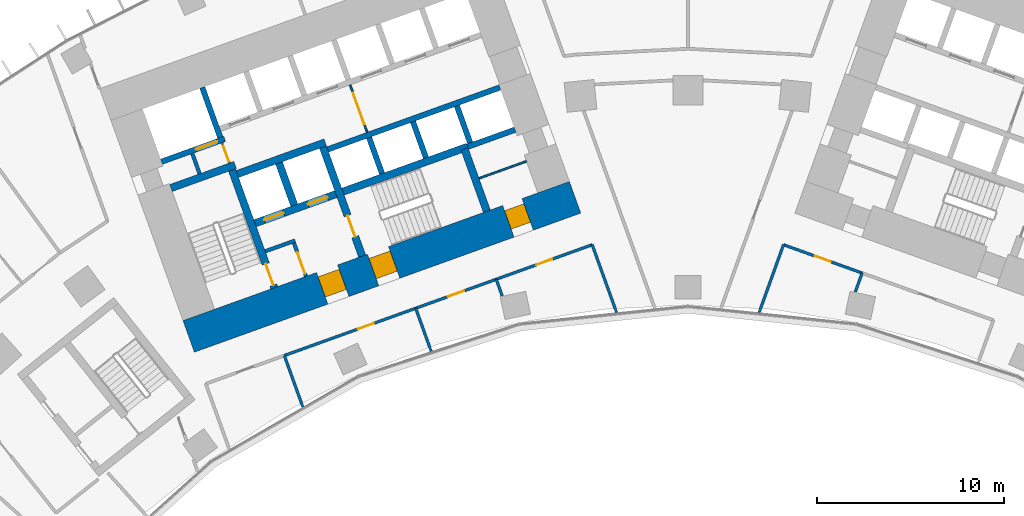
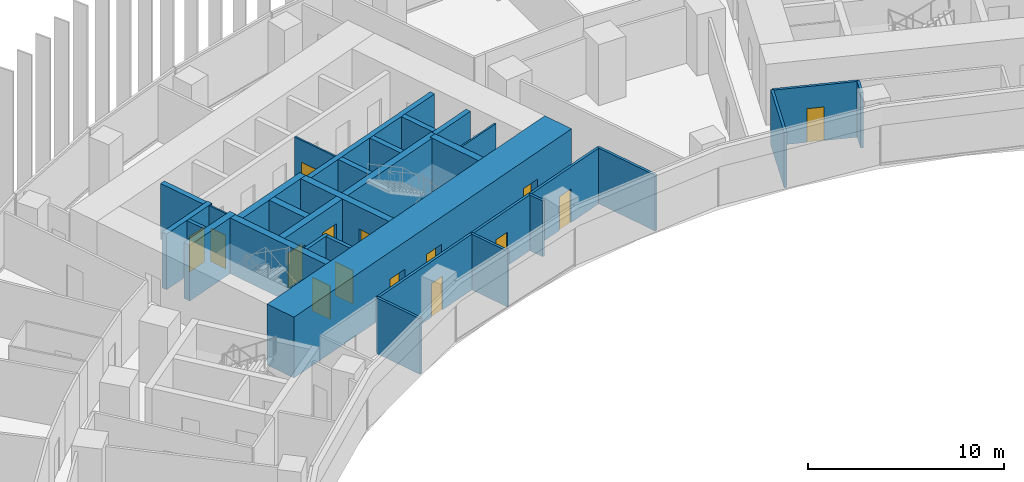
# One storey, part 18 of 24: 31 walls, 15 doors, 15 openings.
"""IFC4 building model written with IfcOpenShell, lengths in metres."""

from ifc_helpers import new_model, si_unit, direction, frame, frame_2d, origin, place, context, subcontext, project, spatial, rectangle, extrude, material, layer, layer_set, type_object, element, fill, save


model = new_model("IFC4")

# Units and contexts
model_context = context("Model", 3, precision=1e-05, world=origin(), true_north=direction((0.0, 1.0)))
body_context = subcontext(model_context, "Body", "Model", "MODEL_VIEW")
ifc_project = project(units=[si_unit("LENGTHUNIT", "METRE"), si_unit("AREAUNIT", "SQUARE_METRE"), si_unit("VOLUMEUNIT", "CUBIC_METRE"), si_unit("PLANEANGLEUNIT", "RADIAN"), si_unit("MASSUNIT", "GRAM", prefix="KILO")], contexts=[model_context])

# Site, building, storey
site_placement = place(None, origin())
site = spatial("IfcSite", under=ifc_project, at=site_placement, CompositionType="ELEMENT")
building_placement = place(site_placement, origin())
building = spatial("IfcBuilding", under=site, at=building_placement, Name="Stone Belt Terrace Tower", CompositionType="ELEMENT")
storey_placement = place(building_placement, frame((0.0, 0.0, 64.199951171875)))
storey = spatial("IfcBuildingStorey", under=building, at=storey_placement, Name="L15", CompositionType="ELEMENT", Elevation=64.199951171875)

# Wall, opening, door
ifc_material_1 = material(Name="Plasterboard partition")
ifc_layer_1 = layer(ifc_material_1, 0.10009765625)
ifc_layer_set_1 = layer_set([ifc_layer_1], Name="Core partition 100")
wall_type_1 = type_object("IfcWallType", Name="Core partition 100", PredefinedType="PARTITIONING", material=ifc_layer_set_1)
wall_1_placement = place(storey_placement, frame((-24.555908203125, 51.10400390625, 0.0), z_axis=(0.0, 0.0, 1.0), x_axis=(-0.338621735342, 0.94092258999, 0.0)))
wall_1 = element("IfcWall", 1, at=wall_1_placement, inside=storey, type_object=wall_type_1, Name="Core A wall", PredefinedType="PARTITIONING", context=body_context, shape_type="SweptSolid", body=[
    extrude(rectangle(XDim=1.14990234375, YDim=0.10009765625, at=frame_2d((0.574951171875, 0.0))), origin(), (0.0, 0.0, 1.0), 3.47998046875),
])
opening_1_placement = place(wall_1_placement, frame((0.050048828125, 0.0, 0.0)))
opening_1 = element("IfcOpeningElement", 2, at=opening_1_placement, cuts=wall_1, Name="Opening L15-C02", PredefinedType="OPENING", context=body_context, shape_type="SweptSolid", body=[
    extrude(rectangle(XDim=1.0, YDim=2.10009765625, at=frame_2d((0.5, 1.050048828125))), frame((0.0, 0.06005859375, 0.0), z_axis=(0.0, -1.0, 0.0), x_axis=(1.0, 0.0, 0.0)), (0.0, 0.0, 1.0), 0.1201171875),
])
ifc_material_2 = material(Name="Timber door leaf", Category="wood")
door_type_1 = type_object("IfcDoorType", Name="Core room door 1000", OperationType="SINGLE_SWING_LEFT", PredefinedType="DOOR", material=ifc_material_2)
door_1_placement = place(opening_1_placement, origin())
door_1 = element("IfcDoor", 3, at=door_1_placement, inside=storey, type_object=door_type_1, Name="Service lift lobby door core A", OperationType="SINGLE_SWING_LEFT", OverallHeight=2.10009765625, OverallWidth=1.0, PredefinedType="DOOR", context=body_context, shape_type="SweptSolid", body=[
    extrude(rectangle(XDim=1.0, YDim=2.10009765625, at=frame_2d((0.5, 1.050048828125))), frame((0.0, 0.02490234375, 0.0), z_axis=(0.0, -1.0, 0.0), x_axis=(1.0, 0.0, 0.0)), (0.0, 0.0, 1.0), 0.050048828125),
])
fill(opening_1, door_1)

wall_2_placement = place(storey_placement, frame((-17.17724609375, 52.749755859375, 0.0), z_axis=(0.0, 0.0, 1.0), x_axis=(-0.338546555931, 0.940949642365, 0.0)))
wall_2 = element("IfcWall", 4, at=wall_2_placement, inside=storey, type_object=wall_type_1, Name="Core A wall", PredefinedType="PARTITIONING", context=body_context, shape_type="SweptSolid", body=[
    extrude(rectangle(XDim=2.699951171875, YDim=0.10009765625, at=frame_2d((1.35009765625, 0.0))), origin(), (0.0, 0.0, 1.0), 3.47998046875),
])
opening_2_placement = place(wall_2_placement, frame((0.449951171875, 0.0, 0.0)))
opening_2 = element("IfcOpeningElement", 5, at=opening_2_placement, cuts=wall_2, Name="Opening L15-C03", PredefinedType="OPENING", context=body_context, shape_type="SweptSolid", body=[
    extrude(rectangle(XDim=1.800048828125, YDim=2.10009765625, at=frame_2d((0.89990234375, 1.050048828125))), frame((0.0, 0.06005859375, 0.0), z_axis=(0.0, -1.0, 0.0), x_axis=(1.0, 0.0, 0.0)), (0.0, 0.0, 1.0), 0.1201171875),
])
ifc_material_3 = material(Name="Glazed aluminium door leaf", Category="aluminium")
door_type_2 = type_object("IfcDoorType", Name="Lift lobby entrance door 1800", OperationType="DOUBLE_DOOR_SINGLE_SWING", PredefinedType="DOOR", material=ifc_material_3)
door_2_placement = place(opening_2_placement, origin())
door_2 = element("IfcDoor", 6, at=door_2_placement, inside=storey, type_object=door_type_2, Name="Lift lobby double door core A", OperationType="DOUBLE_DOOR_SINGLE_SWING", OverallHeight=2.10009765625, OverallWidth=1.800048828125, PredefinedType="DOOR", context=body_context, shape_type="SweptSolid", body=[
    extrude(rectangle(XDim=1.800048828125, YDim=2.10009765625, at=frame_2d((0.89990234375, 1.050048828125))), frame((0.0, 0.02490234375, 0.0), z_axis=(0.0, -1.0, 0.0), x_axis=(1.0, 0.0, 0.0)), (0.0, 0.0, 1.0), 0.050048828125),
])
fill(opening_2, door_2)

# Wall
wall_3_placement = place(storey_placement, frame((-11.187744140625, 50.2822265625, 0.0), z_axis=(0.0, 0.0, 1.0), x_axis=(0.940949642365, 0.338546555931, 0.0)))
element("IfcWall", 7, at=wall_3_placement, inside=storey, type_object=wall_type_1, Name="Core A wall", PredefinedType="PARTITIONING", context=body_context, shape_type="SweptSolid", body=[
    extrude(rectangle(XDim=2.699951171875, YDim=0.10009765625, at=frame_2d((1.35009765625, 0.0))), origin(), (0.0, 0.0, 1.0), 3.47998046875),
])

# Wall, openings, doors
ifc_material_4 = material(Name="Concrete B80", Category="concrete")
ifc_layer_2 = layer(ifc_material_4, 1.800048828125)
ifc_layer_set_2 = layer_set([ifc_layer_2], Name="Core wall 1800 B80")
wall_type_2 = type_object("IfcWallType", Name="Core wall 1800 B80", PredefinedType="SHEAR", material=ifc_layer_set_2)
wall_4_placement = place(storey_placement, frame((-26.739501953125, 41.815673828125, 0.0), z_axis=(0.0, 0.0, 1.0), x_axis=(0.940921642213, 0.338624368902, 0.0)))
wall_4 = element("IfcWall", 8, at=wall_4_placement, inside=storey, type_object=wall_type_2, Name="Core A wall concave L15", PredefinedType="SHEAR", context=body_context, shape_type="SweptSolid", body=[
    extrude(rectangle(XDim=22.0, YDim=1.800048828125, at=frame_2d((11.0, 0.0))), origin(), (0.0, 0.0, 1.0), 3.800048828125),
])
opening_3_placement = place(wall_4_placement, frame((7.60009765625, 0.0, 0.0)))
opening_3 = element("IfcOpeningElement", 9, at=opening_3_placement, cuts=wall_4, Name="Opening L15-C07", PredefinedType="OPENING", context=body_context, shape_type="SweptSolid", body=[
    extrude(rectangle(XDim=1.199951171875, YDim=2.10009765625, at=frame_2d((0.60009765625, 1.050048828125))), frame((0.0, 0.909912109375, 0.0), z_axis=(0.0, -1.0, 0.0), x_axis=(1.0, 0.0, 0.0)), (0.0, 0.0, 1.0), 1.820068359375),
])
opening_4_placement = place(wall_4_placement, frame((10.5, 0.0, 0.0)))
opening_4 = element("IfcOpeningElement", 10, at=opening_4_placement, cuts=wall_4, Name="Opening L15-C09", PredefinedType="OPENING", context=body_context, shape_type="SweptSolid", body=[
    extrude(rectangle(XDim=1.199951171875, YDim=2.10009765625, at=frame_2d((0.60009765625, 1.050048828125))), frame((0.0, 0.909912109375, 0.0), z_axis=(0.0, -1.0, 0.0), x_axis=(1.0, 0.0, 0.0)), (0.0, 0.0, 1.0), 1.820068359375),
])
opening_5_placement = place(wall_4_placement, frame((18.199951171875, 0.0, 0.0)))
opening_5 = element("IfcOpeningElement", 11, at=opening_5_placement, cuts=wall_4, Name="Opening L15-C11", PredefinedType="OPENING", context=body_context, shape_type="SweptSolid", body=[
    extrude(rectangle(XDim=1.10009765625, YDim=2.10009765625, at=frame_2d((0.550048828125, 1.050048828125))), frame((0.0, 0.909912109375, 0.0), z_axis=(0.0, -1.0, 0.0), x_axis=(1.0, 0.0, 0.0)), (0.0, 0.0, 1.0), 1.820068359375),
])
door_type_3 = type_object("IfcDoorType", Name="Core room door 1100", OperationType="SINGLE_SWING_LEFT", PredefinedType="DOOR", material=ifc_material_2)
door_3_placement = place(opening_5_placement, origin())
door_3 = element("IfcDoor", 12, at=door_3_placement, inside=storey, type_object=door_type_3, Name="Door to Cleaner's store core A", OperationType="SINGLE_SWING_LEFT", OverallHeight=2.10009765625, OverallWidth=1.10009765625, PredefinedType="DOOR", context=body_context, shape_type="SweptSolid", body=[
    extrude(rectangle(XDim=1.10009765625, YDim=2.10009765625, at=frame_2d((0.550048828125, 1.050048828125))), frame((0.0, 0.60498046875, 0.0), z_axis=(0.0, -1.0, 0.0), x_axis=(1.0, 0.0, 0.0)), (0.0, 0.0, 1.0), 1.050048828125),
])
fill(opening_5, door_3)
ifc_material_5 = material(Name="Steel door leaf", Category="steel")
door_type_4 = type_object("IfcDoorType", Name="Fire-fighting lobby door 1200", OperationType="SINGLE_SWING_LEFT", PredefinedType="DOOR", material=ifc_material_5)
door_4_placement = place(opening_3_placement, origin())
door_4 = element("IfcDoor", 13, at=door_4_placement, inside=storey, type_object=door_type_4, Name="Fire-fighting lobby door core A", OperationType="SINGLE_SWING_LEFT", OverallHeight=2.10009765625, OverallWidth=1.199951171875, PredefinedType="DOOR", context=body_context, shape_type="SweptSolid", body=[
    extrude(rectangle(XDim=1.199951171875, YDim=2.10009765625, at=frame_2d((0.60009765625, 1.050048828125))), frame((0.0, 0.655029296875, 0.0), z_axis=(0.0, -1.0, 0.0), x_axis=(1.0, 0.0, 0.0)), (0.0, 0.0, 1.0), 1.14990234375),
])
fill(opening_3, door_4)
door_type_5 = type_object("IfcDoorType", Name="Stair door 1200", OperationType="SINGLE_SWING_LEFT", PredefinedType="DOOR", material=ifc_material_5)
door_5_placement = place(opening_4_placement, origin())
door_5 = element("IfcDoor", 14, at=door_5_placement, inside=storey, type_object=door_type_5, Name="Stair 2 exit door core A", OperationType="SINGLE_SWING_RIGHT", OverallHeight=2.10009765625, OverallWidth=1.199951171875, PredefinedType="DOOR", context=body_context, shape_type="SweptSolid", body=[
    extrude(rectangle(XDim=1.199951171875, YDim=2.10009765625, at=frame_2d((0.60009765625, 1.050048828125))), frame((0.0, 0.655029296875, 0.0), z_axis=(0.0, -1.0, 0.0), x_axis=(1.0, 0.0, 0.0)), (0.0, 0.0, 1.0), 1.14990234375),
])
fill(opening_4, door_5)

# Walls
ifc_layer_3 = layer(ifc_material_4, 0.39990234375)
ifc_layer_set_3 = layer_set([ifc_layer_3], Name="Fire-fighting lift shaft wall 400")
wall_type_3 = type_object("IfcWallType", Name="Fire-fighting lift shaft wall 400", PredefinedType="SHEAR", material=ifc_layer_set_3)
wall_5_placement = place(storey_placement, frame((-24.130615234375, 50.512939453125, 0.0), z_axis=(0.0, 0.0, 1.0), x_axis=(0.94091168377, 0.338652038744, 0.0)))
element("IfcWall", 15, at=wall_5_placement, inside=storey, type_object=wall_type_3, Name="Core A wall", PredefinedType="SHEAR", context=body_context, shape_type="SweptSolid", body=[
    extrude(rectangle(XDim=5.000244140625, YDim=0.39990234375, at=frame_2d((2.5, 0.0))), origin(), (0.0, 0.0, 1.0), 3.47998046875),
])
wall_6_placement = place(storey_placement, frame((-21.0859375, 48.845458984375, 0.0), z_axis=(0.0, 0.0, 1.0), x_axis=(-0.338629416206, 0.940919825745, 0.0)))
element("IfcWall", 16, at=wall_6_placement, inside=storey, type_object=wall_type_3, Name="Core A wall", PredefinedType="SHEAR", context=body_context, shape_type="SweptSolid", body=[
    extrude(rectangle(XDim=2.400146484375, YDim=0.39990234375, at=frame_2d((1.2001953125, 0.0))), origin(), (0.0, 0.0, 1.0), 3.47998046875),
])

# Wall, opening, door
ifc_layer_4 = layer(ifc_material_4, 0.300048828125)
ifc_layer_set_4 = layer_set([ifc_layer_4], Name="Lift shaft wall 300")
wall_type_4 = type_object("IfcWallType", Name="Lift shaft wall 300", PredefinedType="SHEAR", material=ifc_layer_set_4)
wall_7_placement = place(storey_placement, frame((-28.195068359375, 51.17578125, 0.0), z_axis=(0.0, 0.0, 1.0), x_axis=(0.940901243567, 0.338681044427, 0.0)))
wall_7 = element("IfcWall", 17, at=wall_7_placement, inside=storey, type_object=wall_type_4, Name="Core A wall", PredefinedType="SHEAR", context=body_context, shape_type="SweptSolid", body=[
    extrude(rectangle(XDim=3.599853515625, YDim=0.300048828125, at=frame_2d((1.7998046875, 0.0))), origin(), (0.0, 0.0, 1.0), 3.47998046875),
])
opening_6_placement = place(wall_7_placement, frame((1.969970703125, 0.0, 0.0)))
opening_6 = element("IfcOpeningElement", 18, at=opening_6_placement, cuts=wall_7, Name="Opening L15-LD09", PredefinedType="OPENING", context=body_context, shape_type="SweptSolid", body=[
    extrude(rectangle(XDim=1.199951171875, YDim=2.199951171875, at=frame_2d((0.60009765625, 1.10009765625))), frame((0.0, 0.159912109375, 0.0), z_axis=(0.0, -1.0, 0.0), x_axis=(1.0, 0.0, 0.0)), (0.0, 0.0, 1.0), 0.320068359375),
])
ifc_material_6 = material(Name="Stainless steel door leaf", Category="steel")
door_type_6 = type_object("IfcDoorType", Name="Landing door 1200", OperationType="SLIDING_TO_LEFT", PredefinedType="DOOR", material=ifc_material_6)
door_6_placement = place(opening_6_placement, origin())
door_6 = element("IfcDoor", 19, at=door_6_placement, inside=storey, type_object=door_type_6, Name="Landing door SV1 core A", OperationType="SLIDING_TO_LEFT", OverallHeight=2.199951171875, OverallWidth=1.199951171875, PredefinedType="DOOR", context=body_context, shape_type="SweptSolid", body=[
    extrude(rectangle(XDim=1.199951171875, YDim=2.199951171875, at=frame_2d((0.60009765625, 1.10009765625))), frame((0.0, 0.02490234375, 0.0), z_axis=(0.0, -1.0, 0.0), x_axis=(1.0, 0.0, 0.0)), (0.0, 0.0, 1.0), 0.050048828125),
])
fill(opening_6, door_6)

# Walls
wall_8_placement = place(storey_placement, frame((-25.046875, 52.46826171875, 0.0), z_axis=(0.0, 0.0, 1.0), x_axis=(-0.338549588058, 0.940948551423, 0.0)))
element("IfcWall", 20, at=wall_8_placement, inside=storey, type_object=wall_type_4, Name="Core A wall", PredefinedType="SHEAR", context=body_context, shape_type="SweptSolid", body=[
    extrude(rectangle(XDim=2.849853515625, YDim=0.300048828125, at=frame_2d((1.4248046875, 0.0))), origin(), (0.0, 0.0, 1.0), 3.47998046875),
])
wall_9_placement = place(storey_placement, frame((-19.29052734375, 51.829833984375, 0.0), z_axis=(0.0, 0.0, 1.0), x_axis=(0.940925833398, 0.338612722803, 0.0)))
element("IfcWall", 21, at=wall_9_placement, inside=storey, type_object=wall_type_4, Name="Core A wall", PredefinedType="SHEAR", context=body_context, shape_type="SweptSolid", body=[
    extrude(rectangle(XDim=9.7998046875, YDim=0.300048828125, at=frame_2d((4.89990234375, 0.0))), origin(), (0.0, 0.0, 1.0), 3.47998046875),
])
for number, where, z_axis, x_axis, name in (
    (22, (-16.38134765625, 50.53857421875, 0.0), (0.0, 0.0, 1.0), (-0.338681515556, 0.940901073982, 0.0), "Core A wall"),
    (23, (-14.029052734375, 51.38525390625, 0.0), (0.0, 0.0, 1.0), (-0.338681515556, 0.940901073982, 0.0), "Core A wall"),
):
    element("IfcWall", number, at=place(storey_placement, frame(where, z_axis=z_axis, x_axis=x_axis)), inside=storey, type_object=wall_type_4, Name=name, PredefinedType="SHEAR", context=body_context, shape_type="SweptSolid", body=[
        extrude(rectangle(XDim=2.050048828125, YDim=0.300048828125, at=frame_2d((1.02490234375, 0.0))), origin(), (0.0, 0.0, 1.0), 3.47998046875),
    ])
wall_10_placement = place(storey_placement, frame((-11.797119140625, 51.975830078125, 0.0), z_axis=(0.0, 0.0, 1.0), x_axis=(0.940910465161, 0.33865542451, 0.0)))
element("IfcWall", 24, at=wall_10_placement, inside=storey, type_object=wall_type_4, Name="Core A wall", PredefinedType="SHEAR", context=body_context, shape_type="SweptSolid", body=[
    extrude(rectangle(XDim=2.69970703125, YDim=0.300048828125, at=frame_2d((1.349853515625, 0.0))), origin(), (0.0, 0.0, 1.0), 3.47998046875),
])
wall_11_placement = place(storey_placement, frame((-11.659912109375, 52.184814453125, 0.0), z_axis=(0.0, 0.0, 1.0), x_axis=(-0.338670064856, 0.940905195634, 0.0)))
element("IfcWall", 25, at=wall_11_placement, inside=storey, type_object=wall_type_4, Name="Core A wall", PredefinedType="SHEAR", context=body_context, shape_type="SweptSolid", body=[
    extrude(rectangle(XDim=2.099853515625, YDim=0.300048828125, at=frame_2d((1.0498046875, 0.0))), origin(), (0.0, 0.0, 1.0), 3.47998046875),
])
ifc_material_7 = material(Name="Gypsum board partition")
ifc_layer_5 = layer(ifc_material_7, 0.14990234375)
ifc_layer_set_5 = layer_set([ifc_layer_5], Name="PARTITION 150 EI 60")
wall_type_5 = type_object("IfcWallType", Name="PARTITION 150 EI 60", PredefinedType="PARTITIONING", material=ifc_layer_set_5)
wall_12_placement = place(storey_placement, frame((-3.819580078125, 43.0986328125, 0.0), z_axis=(0.0, 0.0, 1.0), x_axis=(-0.338659002829, 0.940909177234, 0.0)))
element("IfcWall", 26, at=wall_12_placement, inside=storey, type_object=wall_type_5, Name="L15/wall/i007", PredefinedType="PARTITIONING", context=body_context, shape_type="SweptSolid", body=[
    extrude(rectangle(XDim=3.8603515625, YDim=0.14990234375, at=frame_2d((1.93017578125, 0.0))), origin(), (0.0, 0.0, 1.0), 3.47998046875),
])

# Wall, opening, door
wall_13_placement = place(storey_placement, frame((-14.572998046875, 43.324951171875, 0.0), z_axis=(0.0, 0.0, 1.0), x_axis=(-0.940921472482, -0.338624840528, 0.0)))
wall_13 = element("IfcWall", 27, at=wall_13_placement, inside=storey, type_object=wall_type_5, Name="L15/wall/i012", PredefinedType="PARTITIONING", context=body_context, shape_type="SweptSolid", body=[
    extrude(rectangle(XDim=7.49169921875, YDim=0.14990234375, at=frame_2d((3.745849609375, 0.0))), origin(), (0.0, 0.0, 1.0), 3.47998046875),
])
opening_7_placement = place(wall_13_placement, frame((2.39697265625, 0.0, 0.0)))
opening_7 = element("IfcOpeningElement", 28, at=opening_7_placement, cuts=wall_13, Name="Opening D-A4-02", PredefinedType="OPENING", context=body_context, shape_type="SweptSolid", body=[
    extrude(rectangle(XDim=0.89990234375, YDim=2.10009765625, at=frame_2d((0.449951171875, 1.050048828125))), frame((0.0, 0.0849609375, 0.0), z_axis=(0.0, -1.0, 0.0), x_axis=(1.0, 0.0, 0.0)), (0.0, 0.0, 1.0), 0.169921875),
])
door_type_7 = type_object("IfcDoorType", Name="OFFICE DOOR 900 X 2100", OperationType="NOTDEFINED", PredefinedType="DOOR", material=ifc_material_2)
door_7_placement = place(opening_7_placement, origin())
door_7 = element("IfcDoor", 29, at=door_7_placement, inside=storey, type_object=door_type_7, Name="L15/door/i02", OperationType="SINGLE_SWING_LEFT", OverallHeight=2.10009765625, OverallWidth=0.89990234375, PredefinedType="DOOR", context=body_context, shape_type="SweptSolid", body=[
    extrude(rectangle(XDim=0.89990234375, YDim=2.10009765625, at=frame_2d((0.449951171875, 1.050048828125))), frame((0.0, 0.02490234375, 0.0), z_axis=(0.0, -1.0, 0.0), x_axis=(1.0, 0.0, 0.0)), (0.0, 0.0, 1.0), 0.050048828125),
])
fill(opening_7, door_7)

wall_14_placement = place(storey_placement, frame((-10.259033203125, 44.876953125, 0.0), z_axis=(0.0, 0.0, 1.0), x_axis=(-0.940918547165, -0.338632968862, 0.0)))
wall_14 = element("IfcWall", 30, at=wall_14_placement, inside=storey, type_object=wall_type_5, Name="L15/wall/i013", PredefinedType="PARTITIONING", context=body_context, shape_type="SweptSolid", body=[
    extrude(rectangle(XDim=4.59765625, YDim=0.14990234375, at=frame_2d((2.298828125, 0.0))), origin(), (0.0, 0.0, 1.0), 3.47998046875),
])
opening_8_placement = place(wall_14_placement, frame((1.848876953125, 0.0, 0.0)))
opening_8 = element("IfcOpeningElement", 31, at=opening_8_placement, cuts=wall_14, Name="Opening D-A4-03", PredefinedType="OPENING", context=body_context, shape_type="SweptSolid", body=[
    extrude(rectangle(XDim=0.89990234375, YDim=2.10009765625, at=frame_2d((0.449951171875, 1.050048828125))), frame((0.0, 0.0849609375, 0.0), z_axis=(0.0, -1.0, 0.0), x_axis=(1.0, 0.0, 0.0)), (0.0, 0.0, 1.0), 0.169921875),
])
door_8_placement = place(opening_8_placement, origin())
door_8 = element("IfcDoor", 32, at=door_8_placement, inside=storey, type_object=door_type_7, Name="L15/door/i03", OperationType="SINGLE_SWING_RIGHT", OverallHeight=2.10009765625, OverallWidth=0.89990234375, PredefinedType="DOOR", context=body_context, shape_type="SweptSolid", body=[
    extrude(rectangle(XDim=0.89990234375, YDim=2.10009765625, at=frame_2d((0.449951171875, 1.050048828125))), frame((0.0, 0.02490234375, 0.0), z_axis=(0.0, -1.0, 0.0), x_axis=(1.0, 0.0, 0.0)), (0.0, 0.0, 1.0), 0.050048828125),
])
fill(opening_8, door_8)

wall_15_placement = place(storey_placement, frame((-5.125, 46.72509765625, 0.0), z_axis=(0.0, 0.0, 1.0), x_axis=(-0.940916999512, -0.33863726911, 0.0)))
wall_15 = element("IfcWall", 33, at=wall_15_placement, inside=storey, type_object=wall_type_5, Name="L15/wall/i014", PredefinedType="PARTITIONING", context=body_context, shape_type="SweptSolid", body=[
    extrude(rectangle(XDim=5.46923828125, YDim=0.14990234375, at=frame_2d((2.734619140625, 0.0))), origin(), (0.0, 0.0, 1.0), 3.47998046875),
])
opening_9_placement = place(wall_15_placement, frame((2.28466796875, 0.0, 0.0)))
opening_9 = element("IfcOpeningElement", 34, at=opening_9_placement, cuts=wall_15, Name="Opening D-A4-04", PredefinedType="OPENING", context=body_context, shape_type="SweptSolid", body=[
    extrude(rectangle(XDim=0.89990234375, YDim=2.10009765625, at=frame_2d((0.449951171875, 1.050048828125))), frame((0.0, 0.0849609375, 0.0), z_axis=(0.0, -1.0, 0.0), x_axis=(1.0, 0.0, 0.0)), (0.0, 0.0, 1.0), 0.169921875),
])
door_9_placement = place(opening_9_placement, origin())
door_9 = element("IfcDoor", 35, at=door_9_placement, inside=storey, type_object=door_type_7, Name="L15/door/i04", OperationType="SINGLE_SWING_RIGHT", OverallHeight=2.10009765625, OverallWidth=0.89990234375, PredefinedType="DOOR", context=body_context, shape_type="SweptSolid", body=[
    extrude(rectangle(XDim=0.89990234375, YDim=2.10009765625, at=frame_2d((0.449951171875, 1.050048828125))), frame((0.0, 0.02490234375, 0.0), z_axis=(0.0, -1.0, 0.0), x_axis=(1.0, 0.0, 0.0)), (0.0, 0.0, 1.0), 0.050048828125),
])
fill(opening_9, door_9)

# Walls
wall_16_placement = place(storey_placement, frame((-21.615966796875, 40.7900390625, 0.0), z_axis=(0.0, 0.0, 1.0), x_axis=(0.338556494842, -0.940946066361, 0.0)))
element("IfcWall", 36, at=wall_16_placement, inside=storey, type_object=wall_type_5, Name="L15/wall/i015", PredefinedType="PARTITIONING", context=body_context, shape_type="SweptSolid", body=[
    extrude(rectangle(XDim=2.917724609375, YDim=0.14990234375, at=frame_2d((1.458984375, 0.0))), origin(), (0.0, 0.0, 1.0), 3.47998046875),
])
wall_17_placement = place(storey_placement, frame((-14.5791015625, 43.322998046875, 0.0), z_axis=(0.0, 0.0, 1.0), x_axis=(0.338376794995, -0.94101070377, 0.0)))
element("IfcWall", 37, at=wall_17_placement, inside=storey, type_object=wall_type_5, Name="L15/wall/i016", PredefinedType="PARTITIONING", context=body_context, shape_type="SweptSolid", body=[
    extrude(rectangle(XDim=2.447265625, YDim=0.14990234375, at=frame_2d((1.2236328125, 0.0))), origin(), (0.0, 0.0, 1.0), 3.47998046875),
])
wall_18_placement = place(storey_placement, frame((-10.264892578125, 44.875, 0.0), z_axis=(0.0, 0.0, 1.0), x_axis=(0.33864567214, -0.940913975208, 0.0)))
element("IfcWall", 38, at=wall_18_placement, inside=storey, type_object=wall_type_5, Name="L15/wall/i017", PredefinedType="PARTITIONING", context=body_context, shape_type="SweptSolid", body=[
    extrude(rectangle(XDim=0.937255859375, YDim=0.14990234375, at=frame_2d((0.46875, 0.0))), origin(), (0.0, 0.0, 1.0), 3.47998046875),
])
wall_19_placement = place(storey_placement, frame((5.126953125, 46.73095703125, 0.0), z_axis=(0.0, 0.0, 1.0), x_axis=(-0.338659002829, -0.940909177234, 0.0)))
element("IfcWall", 39, at=wall_19_placement, inside=storey, type_object=wall_type_5, Name="L15/wall/i019", PredefinedType="PARTITIONING", context=body_context, shape_type="SweptSolid", body=[
    extrude(rectangle(XDim=3.8603515625, YDim=0.14990234375, at=frame_2d((1.93017578125, 0.0))), origin(), (0.0, 0.0, 1.0), 3.47998046875),
])

# Wall, opening, door
wall_20_placement = place(storey_placement, frame((9.341064453125, 45.2080078125, 0.0), z_axis=(0.0, 0.0, 1.0), x_axis=(-0.940911725221, 0.338651923575, 0.0)))
wall_20 = element("IfcWall", 40, at=wall_20_placement, inside=storey, type_object=wall_type_5, Name="L15/wall/i030", PredefinedType="PARTITIONING", context=body_context, shape_type="SweptSolid", body=[
    extrude(rectangle(XDim=4.479736328125, YDim=0.14990234375, at=frame_2d((2.23974609375, 0.0))), origin(), (0.0, 0.0, 1.0), 3.47998046875),
])
opening_10_placement = place(wall_20_placement, frame((1.789794921875, 0.0, 0.0)))
opening_10 = element("IfcOpeningElement", 41, at=opening_10_placement, cuts=wall_20, Name="Opening D-A4-07", PredefinedType="OPENING", context=body_context, shape_type="SweptSolid", body=[
    extrude(rectangle(XDim=0.89990234375, YDim=2.10009765625, at=frame_2d((0.449951171875, 1.050048828125))), frame((0.0, 0.0849609375, 0.0), z_axis=(0.0, -1.0, 0.0), x_axis=(1.0, 0.0, 0.0)), (0.0, 0.0, 1.0), 0.169921875),
])
door_10_placement = place(opening_10_placement, origin())
door_10 = element("IfcDoor", 42, at=door_10_placement, inside=storey, type_object=door_type_7, Name="L15/door/i07", OperationType="SINGLE_SWING_RIGHT", OverallHeight=2.10009765625, OverallWidth=0.89990234375, PredefinedType="DOOR", context=body_context, shape_type="SweptSolid", body=[
    extrude(rectangle(XDim=0.89990234375, YDim=2.10009765625, at=frame_2d((0.449951171875, 1.050048828125))), frame((0.0, 0.02490234375, 0.0), z_axis=(0.0, -1.0, 0.0), x_axis=(1.0, 0.0, 0.0)), (0.0, 0.0, 1.0), 0.050048828125),
])
fill(opening_10, door_10)

# Walls
wall_21_placement = place(storey_placement, frame((9.3349609375, 45.2099609375, 0.0), z_axis=(0.0, 0.0, 1.0), x_axis=(-0.338671110555, -0.940904819243, 0.0)))
element("IfcWall", 43, at=wall_21_placement, inside=storey, type_object=wall_type_5, Name="L15/wall/i035", PredefinedType="PARTITIONING", context=body_context, shape_type="SweptSolid", body=[
    extrude(rectangle(XDim=1.07275390625, YDim=0.14990234375, at=frame_2d((0.536376953125, 0.0))), origin(), (0.0, 0.0, 1.0), 3.47998046875),
])
ifc_material_8 = material(Name="Concrete masonry block", Category="masonry")
ifc_layer_6 = layer(ifc_material_8, 0.199951171875)
ifc_layer_set_6 = layer_set([ifc_layer_6], Name="Rated lobby wall 200")
wall_type_6 = type_object("IfcWallType", Name="Rated lobby wall 200", PredefinedType="PARTITIONING", material=ifc_layer_set_6)
wall_22_placement = place(storey_placement, frame((-26.1552734375, 50.5283203125, 0.0), z_axis=(0.0, 0.0, 1.0), x_axis=(-0.338621735342, 0.94092258999, 0.0)))
element("IfcWall", 44, at=wall_22_placement, inside=storey, type_object=wall_type_6, Name="Core A wall", PredefinedType="PARTITIONING", context=body_context, shape_type="SweptSolid", body=[
    extrude(rectangle(XDim=1.14990234375, YDim=0.199951171875, at=frame_2d((0.574951171875, 0.0))), origin(), (0.0, 0.0, 1.0), 3.47998046875),
])
wall_23_placement = place(storey_placement, frame((-22.640625, 46.373046875, 0.0), z_axis=(0.0, 0.0, 1.0), x_axis=(0.940966110313, 0.338500781747, 0.0)))
element("IfcWall", 45, at=wall_23_placement, inside=storey, type_object=wall_type_6, Name="Core A wall", PredefinedType="PARTITIONING", context=body_context, shape_type="SweptSolid", body=[
    extrude(rectangle(XDim=1.699951171875, YDim=0.199951171875, at=frame_2d((0.85009765625, 0.0))), origin(), (0.0, 0.0, 1.0), 3.47998046875),
])

# Wall, opening, door
wall_24_placement = place(storey_placement, frame((-20.4580078125, 45.032958984375, 0.0), z_axis=(0.0, 0.0, 1.0), x_axis=(-0.338573865316, 0.940939816208, 0.0)))
wall_24 = element("IfcWall", 46, at=wall_24_placement, inside=storey, type_object=wall_type_6, Name="Core A wall", PredefinedType="PARTITIONING", context=body_context, shape_type="SweptSolid", body=[
    extrude(rectangle(XDim=1.900146484375, YDim=0.199951171875, at=frame_2d((0.9501953125, 0.0))), origin(), (0.0, 0.0, 1.0), 3.47998046875),
])
opening_11_placement = place(wall_24_placement, frame((0.14990234375, 0.0, 0.0)))
opening_11 = element("IfcOpeningElement", 47, at=opening_11_placement, cuts=wall_24, Name="Opening L15-C06", PredefinedType="OPENING", context=body_context, shape_type="SweptSolid", body=[
    extrude(rectangle(XDim=1.199951171875, YDim=2.10009765625, at=frame_2d((0.60009765625, 1.050048828125))), frame((0.0, 0.10986328125, 0.0), z_axis=(0.0, -1.0, 0.0), x_axis=(1.0, 0.0, 0.0)), (0.0, 0.0, 1.0), 0.219970703125),
])
door_11_placement = place(opening_11_placement, origin())
door_11 = element("IfcDoor", 48, at=door_11_placement, inside=storey, type_object=door_type_5, Name="Stair airlock door core A", OperationType="SINGLE_SWING_LEFT", OverallHeight=2.10009765625, OverallWidth=1.199951171875, PredefinedType="DOOR", context=body_context, shape_type="SweptSolid", body=[
    extrude(rectangle(XDim=1.199951171875, YDim=2.10009765625, at=frame_2d((0.60009765625, 1.050048828125))), frame((0.0, 0.02490234375, 0.0), z_axis=(0.0, -1.0, 0.0), x_axis=(1.0, 0.0, 0.0)), (0.0, 0.0, 1.0), 0.050048828125),
])
fill(opening_11, door_11)

# Wall
ifc_layer_7 = layer(ifc_material_4, 0.39990234375)
ifc_layer_set_7 = layer_set([ifc_layer_7], Name="Stair enclosure wall 400")
wall_type_7 = type_object("IfcWallType", Name="Stair enclosure wall 400", PredefinedType="SHEAR", material=ifc_layer_set_7)
wall_25_placement = place(storey_placement, frame((-27.687255859375, 49.764404296875, 0.0), z_axis=(0.0, 0.0, 1.0), x_axis=(0.940918954884, 0.338631835981, 0.0)))
element("IfcWall", 49, at=wall_25_placement, inside=storey, type_object=wall_type_7, Name="Core A wall", PredefinedType="SHEAR", context=body_context, shape_type="SweptSolid", body=[
    extrude(rectangle(XDim=3.650146484375, YDim=0.39990234375, at=frame_2d((1.8251953125, 0.0))), origin(), (0.0, 0.0, 1.0), 3.47998046875),
])

# Wall, opening, door
wall_26_placement = place(storey_placement, frame((-22.151611328125, 44.42333984375, 0.0), z_axis=(0.0, 0.0, 1.0), x_axis=(-0.338625272931, 0.940921316866, 0.0)))
wall_26 = element("IfcWall", 50, at=wall_26_placement, inside=storey, type_object=wall_type_7, Name="Core A wall", PredefinedType="SHEAR", context=body_context, shape_type="SweptSolid", body=[
    extrude(rectangle(XDim=6.699951171875, YDim=0.39990234375, at=frame_2d((3.35009765625, 0.0))), origin(), (0.0, 0.0, 1.0), 3.47998046875),
])
opening_12_placement = place(wall_26_placement, frame((0.14990234375, 0.0, 0.0)))
opening_12 = element("IfcOpeningElement", 51, at=opening_12_placement, cuts=wall_26, Name="Opening L15-C05", PredefinedType="OPENING", context=body_context, shape_type="SweptSolid", body=[
    extrude(rectangle(XDim=1.199951171875, YDim=2.10009765625, at=frame_2d((0.60009765625, 1.050048828125))), frame((0.0, 0.2099609375, 0.0), z_axis=(0.0, -1.0, 0.0), x_axis=(1.0, 0.0, 0.0)), (0.0, 0.0, 1.0), 0.419921875),
])
door_12_placement = place(opening_12_placement, origin())
door_12 = element("IfcDoor", 52, at=door_12_placement, inside=storey, type_object=door_type_5, Name="Stair 1 door core A", OperationType="SINGLE_SWING_LEFT", OverallHeight=2.10009765625, OverallWidth=1.199951171875, PredefinedType="DOOR", context=body_context, shape_type="SweptSolid", body=[
    extrude(rectangle(XDim=1.199951171875, YDim=2.10009765625, at=frame_2d((0.60009765625, 1.050048828125))), frame((0.0, 0.02490234375, 0.0), z_axis=(0.0, -1.0, 0.0), x_axis=(1.0, 0.0, 0.0)), (0.0, 0.0, 1.0), 0.050048828125),
])
fill(opening_12, door_12)

# Wall, openings, doors
wall_27_placement = place(storey_placement, frame((-23.182373046875, 47.87841796875, 0.0), z_axis=(0.0, 0.0, 1.0), x_axis=(0.940921101762, 0.338625870628, 0.0)))
wall_27 = element("IfcWall", 53, at=wall_27_placement, inside=storey, type_object=wall_type_7, Name="Core A wall", PredefinedType="SHEAR", context=body_context, shape_type="SweptSolid", body=[
    extrude(rectangle(XDim=12.10009765625, YDim=0.39990234375, at=frame_2d((6.050048828125, 0.0))), origin(), (0.0, 0.0, 1.0), 3.47998046875),
])
opening_13_placement = place(wall_27_placement, frame((0.52001953125, 0.0, 0.0)))
opening_13 = element("IfcOpeningElement", 54, at=opening_13_placement, cuts=wall_27, Name="Opening L15-LD07", PredefinedType="OPENING", context=body_context, shape_type="SweptSolid", body=[
    extrude(rectangle(XDim=1.10009765625, YDim=2.199951171875, at=frame_2d((0.550048828125, 1.10009765625))), frame((0.0, 0.2099609375, 0.0), z_axis=(0.0, -1.0, 0.0), x_axis=(1.0, 0.0, 0.0)), (0.0, 0.0, 1.0), 0.419921875),
])
opening_14_placement = place(wall_27_placement, frame((3.02001953125, 0.0, 0.0)))
opening_14 = element("IfcOpeningElement", 55, at=opening_14_placement, cuts=wall_27, Name="Opening L15-LD08", PredefinedType="OPENING", context=body_context, shape_type="SweptSolid", body=[
    extrude(rectangle(XDim=1.10009765625, YDim=2.199951171875, at=frame_2d((0.550048828125, 1.10009765625))), frame((0.0, 0.2099609375, 0.0), z_axis=(0.0, -1.0, 0.0), x_axis=(1.0, 0.0, 0.0)), (0.0, 0.0, 1.0), 0.419921875),
])
door_type_8 = type_object("IfcDoorType", Name="Landing door 1100", OperationType="SLIDING_TO_LEFT", PredefinedType="DOOR", material=ifc_material_6)
door_13_placement = place(opening_13_placement, origin())
door_13 = element("IfcDoor", 56, at=door_13_placement, inside=storey, type_object=door_type_8, Name="Landing door FF1 core A", OperationType="SLIDING_TO_LEFT", OverallHeight=2.199951171875, OverallWidth=1.10009765625, PredefinedType="DOOR", context=body_context, shape_type="SweptSolid", body=[
    extrude(rectangle(XDim=1.10009765625, YDim=2.199951171875, at=frame_2d((0.550048828125, 1.10009765625))), frame((0.0, 0.02490234375, 0.0), z_axis=(0.0, -1.0, 0.0), x_axis=(1.0, 0.0, 0.0)), (0.0, 0.0, 1.0), 0.050048828125),
])
fill(opening_13, door_13)
door_14_placement = place(opening_14_placement, origin())
door_14 = element("IfcDoor", 57, at=door_14_placement, inside=storey, type_object=door_type_8, Name="Landing door FF2 core A", OperationType="SLIDING_TO_LEFT", OverallHeight=2.199951171875, OverallWidth=1.10009765625, PredefinedType="DOOR", context=body_context, shape_type="SweptSolid", body=[
    extrude(rectangle(XDim=1.10009765625, YDim=2.199951171875, at=frame_2d((0.550048828125, 1.10009765625))), frame((0.0, 0.02490234375, 0.0), z_axis=(0.0, -1.0, 0.0), x_axis=(1.0, 0.0, 0.0)), (0.0, 0.0, 1.0), 0.050048828125),
])
fill(opening_14, door_14)

# Wall, opening, door
wall_28_placement = place(storey_placement, frame((-17.447021484375, 46.116455078125, 0.0), z_axis=(0.0, 0.0, 1.0), x_axis=(-0.33860791464, 0.940927563707, 0.0)))
wall_28 = element("IfcWall", 58, at=wall_28_placement, inside=storey, type_object=wall_type_7, Name="Core A wall", PredefinedType="SHEAR", context=body_context, shape_type="SweptSolid", body=[
    extrude(rectangle(XDim=6.199951171875, YDim=0.39990234375, at=frame_2d((3.10009765625, 0.0))), origin(), (0.0, 0.0, 1.0), 3.47998046875),
])
opening_15_placement = place(wall_28_placement, frame((1.10009765625, 0.0, 0.0)))
opening_15 = element("IfcOpeningElement", 59, at=opening_15_placement, cuts=wall_28, Name="Opening L15-C08", PredefinedType="OPENING", context=body_context, shape_type="SweptSolid", body=[
    extrude(rectangle(XDim=1.199951171875, YDim=2.10009765625, at=frame_2d((0.60009765625, 1.050048828125))), frame((0.0, 0.2099609375, 0.0), z_axis=(0.0, -1.0, 0.0), x_axis=(1.0, 0.0, 0.0)), (0.0, 0.0, 1.0), 0.419921875),
])
door_15_placement = place(opening_15_placement, origin())
door_15 = element("IfcDoor", 60, at=door_15_placement, inside=storey, type_object=door_type_5, Name="Stair 2 door core A", OperationType="SINGLE_SWING_LEFT", OverallHeight=2.10009765625, OverallWidth=1.199951171875, PredefinedType="DOOR", context=body_context, shape_type="SweptSolid", body=[
    extrude(rectangle(XDim=1.199951171875, YDim=2.10009765625, at=frame_2d((0.60009765625, 1.050048828125))), frame((0.0, 0.02490234375, 0.0), z_axis=(0.0, -1.0, 0.0), x_axis=(1.0, 0.0, 0.0)), (0.0, 0.0, 1.0), 0.050048828125),
])
fill(opening_15, door_15)

# Wall
wall_29_placement = place(storey_placement, frame((-10.766357421875, 48.520751953125, 0.0), z_axis=(0.0, 0.0, 1.0), x_axis=(-0.338626928157, 0.94092072117, 0.0)))
element("IfcWall", 61, at=wall_29_placement, inside=storey, type_object=wall_type_7, Name="Core A wall", PredefinedType="SHEAR", context=body_context, shape_type="SweptSolid", body=[
    extrude(rectangle(XDim=3.550048828125, YDim=0.39990234375, at=frame_2d((1.77490234375, 0.0))), origin(), (0.0, 0.0, 1.0), 3.47998046875),
])

save(model, "model.ifc")
